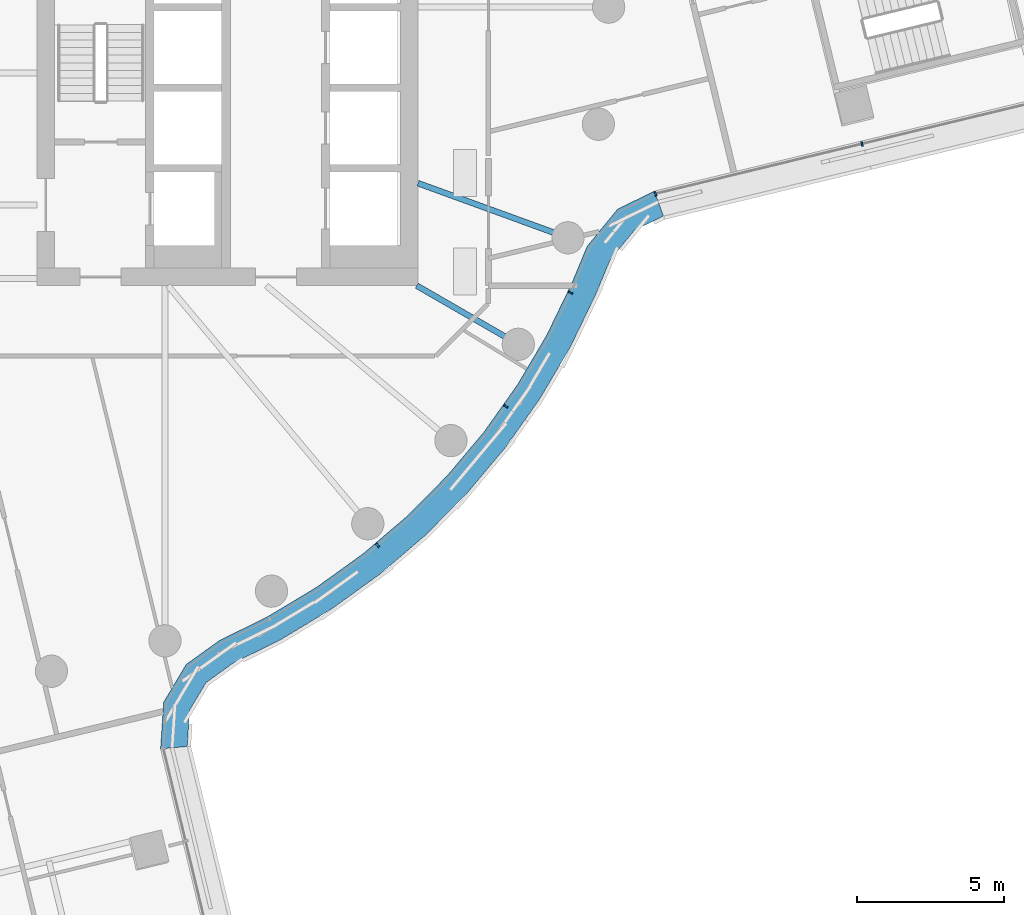
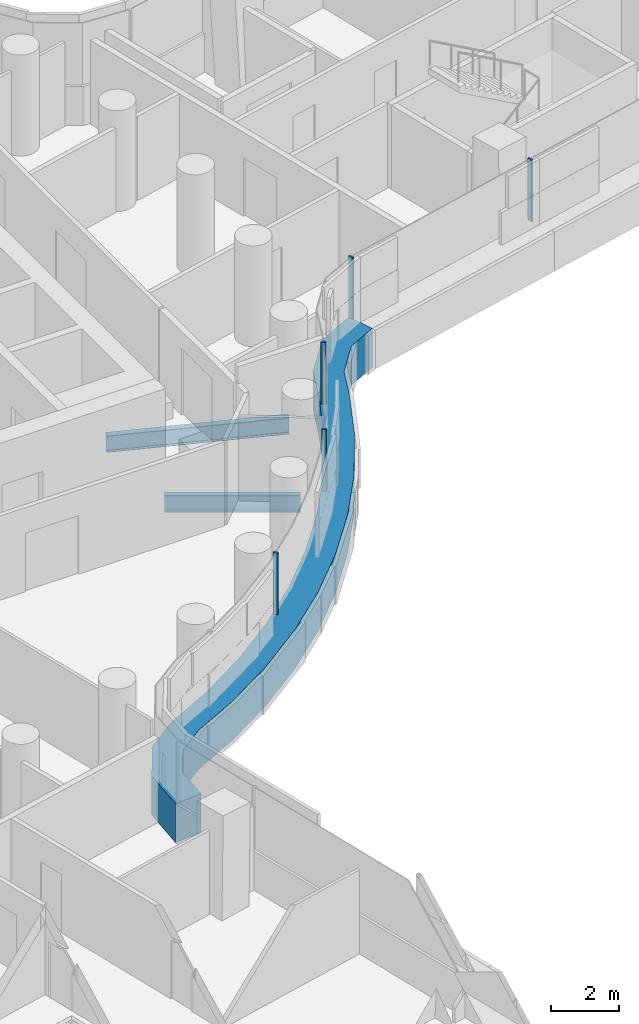
# One storey, part 9 of 33: 6 members, 2 beams, 2 elements without a shape of their own.
"""IFC4 building model written with IfcOpenShell, lengths in metres."""

import ifcopenshell
import ifcopenshell.guid

model = None  # the IFC model being written
_history = None  # IfcOwnerHistory: only IFC2X3 demands one
_inside = {}  # id of a spatial element -> (the spatial element, [elements in it])
_under = {}  # id of a project, library or spatial element -> (it, [spatial elements below it])
_declared = {}  # id of a project -> (the project, [libraries it declares])
_typed = {}  # id of a type object -> (the type object, [elements of that type])
_made_of = {}  # id of a material, layer set ... -> (it, [elements and type objects made of it])


def new_model(schema):
    """Start an empty IFC model of exactly this schema.

    Asked for "IFC4X3", IfcOpenShell would pick the latest addendum, in which some entities
    have other attributes; the version numbers below select the first issue.
    IFC2X3 requires an IfcOwnerHistory on every rooted entity: one is made here for all.
    """
    global model, _history
    if schema == "IFC4X3":
        model = ifcopenshell.file(schema_version=(4, 3, 0, 0))
    else:
        model = ifcopenshell.file(schema=schema)
    _inside.clear()
    _under.clear()
    _declared.clear()
    _typed.clear()
    _made_of.clear()
    _history = None
    if model.schema == "IFC2X3":
        org = make("IfcOrganization", Name="unknown")
        user = make(
            "IfcPersonAndOrganization",
            ThePerson=make("IfcPerson", FamilyName="unknown"),
            TheOrganization=org,
        )
        app = make(
            "IfcApplication",
            ApplicationDeveloper=org,
            Version="unknown",
            ApplicationFullName="unknown",
            ApplicationIdentifier="unknown",
        )
        _history = make(
            "IfcOwnerHistory",
            OwningUser=user,
            OwningApplication=app,
            ChangeAction="ADDED",
            CreationDate=0,
        )
    return model


def make(cls, **values):
    """One entity of the class cls with the attributes given. An attribute that is None is left unset."""
    return model.create_entity(
        cls, **{name: value for name, value in values.items() if value is not None}
    )


def rooted(cls, **values):
    """An entity with a GlobalId (a new one), such as an element, a storey or a relation."""
    return make(cls, GlobalId=ifcopenshell.guid.new(), OwnerHistory=_history, **values)


def si_unit(unit_type, name, prefix=None):
    """IfcSIUnit, for example si_unit("LENGTHUNIT", "METRE", prefix="MILLI")."""
    return make("IfcSIUnit", UnitType=unit_type, Prefix=prefix, Name=name)


def assignment(units):
    """IfcUnitAssignment: the units of a project."""
    return None if units is None else make("IfcUnitAssignment", Units=units)


def point(xyz):
    """IfcCartesianPoint."""
    return None if xyz is None else make("IfcCartesianPoint", Coordinates=xyz)


def direction(xyz):
    """IfcDirection."""
    return None if xyz is None else make("IfcDirection", DirectionRatios=xyz)


def frame(location, z_axis=None, x_axis=None):
    """IfcAxis2Placement3D, a coordinate frame: its origin and axes. An axis left out is left unset."""
    return make(
        "IfcAxis2Placement3D",
        Location=point(location),
        Axis=direction(z_axis),
        RefDirection=direction(x_axis),
    )


def frame_2d(location, x_axis=None):
    """IfcAxis2Placement2D, a coordinate frame in the plane: its origin and x axis."""
    return make(
        "IfcAxis2Placement2D", Location=point(location), RefDirection=direction(x_axis)
    )


def origin():
    """The frame at (0, 0, 0) with its axes left unset."""
    return frame((0.0, 0.0, 0.0))


def origin_2d():
    """The frame at (0, 0) in the plane with its x axis left unset."""
    return frame_2d((0.0, 0.0))


def place(relative_to, where):
    """IfcLocalPlacement: puts the frame where relative to a parent placement (None: the world)."""
    return make(
        "IfcLocalPlacement", PlacementRelTo=relative_to, RelativePlacement=where
    )


def context(
    kind, dimensions, precision=None, world=None, true_north=None, identifier=None
):
    """IfcGeometricRepresentationContext, for example the 3D "Model" context."""
    return make(
        "IfcGeometricRepresentationContext",
        ContextIdentifier=identifier,
        ContextType=kind,
        CoordinateSpaceDimension=dimensions,
        Precision=precision,
        WorldCoordinateSystem=world,
        TrueNorth=true_north,
    )


def subcontext(parent, identifier, kind, view, scale=None):
    """IfcGeometricRepresentationSubContext, for example "Body" below "Model"."""
    return make(
        "IfcGeometricRepresentationSubContext",
        ContextIdentifier=identifier,
        ContextType=kind,
        ParentContext=parent,
        TargetScale=scale,
        TargetView=view,
    )


def project(units=None, contexts=None):
    """IfcProject with its units and contexts."""
    return rooted(
        "IfcProject",
        Name="project",
        RepresentationContexts=contexts,
        UnitsInContext=assignment(units),
    )


def spatial(cls, under=None, at=None, **own):
    """A site, building, storey or space (cls), placed at a placement, below another one or the project."""
    s = rooted(cls, ObjectPlacement=at, **own)
    if under is not None:
        _under.setdefault(under.id(), (under, []))[1].append(s)
    return s


def polyline(points):
    """IfcPolyline through the points."""
    return make("IfcPolyline", Points=[point(p) for p in points])


def profile(cls, at=None, kind="AREA", **sizes):
    """A parametric profile (cls). Its sizes go by their IFC names, for example OverallWidth=200.0."""
    return make(cls, ProfileType=kind, Position=at, **sizes)


def rectangle(**sizes):
    """IfcRectangleProfileDef."""
    return profile("IfcRectangleProfileDef", **sizes)


def i_section(**sizes):
    """IfcIShapeProfileDef."""
    return profile("IfcIShapeProfileDef", **sizes)


def outline(outer, holes=None, kind="AREA"):
    """IfcArbitraryClosedProfileDef: a profile drawn as a closed curve; with holes, ...WithVoids."""
    if holes is None:
        return make("IfcArbitraryClosedProfileDef", ProfileType=kind, OuterCurve=outer)
    return make(
        "IfcArbitraryProfileDefWithVoids",
        ProfileType=kind,
        OuterCurve=outer,
        InnerCurves=holes,
    )


def extrude(swept, where, along, depth):
    """IfcExtrudedAreaSolid: the profile swept, set in the frame where, extruded along a direction by depth."""
    return make(
        "IfcExtrudedAreaSolid",
        SweptArea=swept,
        Position=where,
        ExtrudedDirection=direction(along),
        Depth=depth,
    )


def shape(context_of_items, identifier, shape_type, items):
    """IfcShapeRepresentation: the items that make up one representation, for example the "Body"."""
    return make(
        "IfcShapeRepresentation",
        ContextOfItems=context_of_items,
        RepresentationIdentifier=identifier,
        RepresentationType=shape_type,
        Items=items,
    )


def material(Name=None, Category=None):
    """IfcMaterial."""
    return make("IfcMaterial", Name=Name, Category=Category)


def layer(
    of_material, thickness, ventilated=None, Name=None, Category=None, Priority=None
):
    """IfcMaterialLayer: one layer of a wall or slab, of a material (None: an air gap)."""
    return make(
        "IfcMaterialLayer",
        Material=of_material,
        LayerThickness=thickness,
        IsVentilated=ventilated,
        Name=Name,
        Category=Category,
        Priority=Priority,
    )


def layer_set(layers, Name=None):
    """IfcMaterialLayerSet."""
    return make("IfcMaterialLayerSet", MaterialLayers=layers, LayerSetName=Name)


def material_profile(
    of_material, cross_section, Name=None, Category=None, Priority=None
):
    """IfcMaterialProfile: a cross section and its material."""
    return make(
        "IfcMaterialProfile",
        Name=Name,
        Material=of_material,
        Profile=cross_section,
        Priority=Priority,
        Category=Category,
    )


def profile_set(profiles, Name=None, composite=None):
    """IfcMaterialProfileSet."""
    return make(
        "IfcMaterialProfileSet",
        Name=Name,
        MaterialProfiles=profiles,
        CompositeProfile=composite,
    )


def made_of(thing, what):
    """Note that an element or type object is made of a material, layer set ...; save() writes the relation."""
    if what is not None:
        _made_of.setdefault(what.id(), (what, []))[1].append(thing)
    return thing


def type_object(cls, material=None, **own):
    """A type object (cls), such as IfcWallType, which elements share."""
    return made_of(rooted(cls, **own), material)


def element(
    cls,
    number,
    at=None,
    inside=None,
    cuts=None,
    type_object=None,
    material=None,
    context=None,
    identifier="Body",
    shape_type=None,
    held_by="IfcProductDefinitionShape",
    body=None,
    shapes=None,
    **own,
):
    """One element of the class cls, such as IfcWall. Its Tag is "e" and its number.

    at: its placement. inside: the storey or other place that contains it. cuts: it is an
    opening in that element (IfcRelVoidsElement). A single representation is given by context,
    identifier, shape_type and body (its items); several are given by shapes. held_by: the class
    of the entity that holds the representations. save() writes the other relations.
    """
    e = rooted(cls, Tag="e%d" % number, ObjectPlacement=at, **own)
    if body is not None:
        shapes = [shape(context, identifier, shape_type, body)]
    if shapes is not None:
        e.Representation = make(held_by, Representations=shapes)
    if inside is not None:
        _inside.setdefault(inside.id(), (inside, []))[1].append(e)
    if cuts is not None:
        rooted(
            "IfcRelVoidsElement", RelatingBuildingElement=cuts, RelatedOpeningElement=e
        )
    if type_object is not None:
        _typed.setdefault(type_object.id(), (type_object, []))[1].append(e)
    return made_of(e, material)


def aggregate(whole, parts):
    """IfcRelAggregates: a whole, such as a stair, and the parts it consists of."""
    return rooted("IfcRelAggregates", RelatingObject=whole, RelatedObjects=parts)


def save(model, path):
    """Write the relations noted so far, then the file.

    IfcRelAggregates (storeys below a building ...), IfcRelContainedInSpatialStructure (elements
    in a storey), IfcRelDefinesByType, IfcRelAssociatesMaterial and IfcRelDeclares: one each for
    every whole, place, type object, material and project.
    """
    for whole, parts in _under.values():
        aggregate(whole, parts)
    for where, things in _inside.values():
        rooted(
            "IfcRelContainedInSpatialStructure",
            RelatedElements=things,
            RelatingStructure=where,
        )
    for kind, things in _typed.values():
        rooted("IfcRelDefinesByType", RelatedObjects=things, RelatingType=kind)
    for what, things in _made_of.values():
        rooted("IfcRelAssociatesMaterial", RelatedObjects=things, RelatingMaterial=what)
    for by, libraries in _declared.values():
        rooted("IfcRelDeclares", RelatingContext=by, RelatedDefinitions=libraries)
    model.write(path)


model = new_model("IFC4")

# Units and contexts
model_context = context("Model", 3, precision=1e-05, world=origin(), true_north=direction((0.0, 1.0)))
body_context = subcontext(model_context, "Body", "Model", "MODEL_VIEW")
ifc_project = project(units=[si_unit("LENGTHUNIT", "METRE"), si_unit("AREAUNIT", "SQUARE_METRE"), si_unit("VOLUMEUNIT", "CUBIC_METRE"), si_unit("PLANEANGLEUNIT", "RADIAN"), si_unit("MASSUNIT", "GRAM", prefix="KILO")], contexts=[model_context])

# Site, building, storey
site_placement = place(None, origin())
site = spatial("IfcSite", under=ifc_project, at=site_placement, CompositionType="ELEMENT")
building_placement = place(site_placement, origin())
building = spatial("IfcBuilding", under=site, at=building_placement, Name="Tamarind Cross Interchange Tower", CompositionType="ELEMENT")
storey_placement = place(building_placement, frame((0.0, 0.0, 83.5)))
storey = spatial("IfcBuildingStorey", under=building, at=storey_placement, Name="L19", CompositionType="ELEMENT", Elevation=83.5)

# Beams
ifc_material_1 = material(Name="Steel Q355B", Category="steel")
ifc_material_profile_1 = material_profile(ifc_material_1, i_section(OverallWidth=0.198974609375, OverallDepth=0.595947265625, WebThickness=0.010009765625, FlangeThickness=0.014892578125, FilletRadius=0.012939453125, at=origin_2d()), Name="HN 596x199x10x15")
ifc_profile_set_1 = profile_set([ifc_material_profile_1], Name="Steel Q355B")
beam_type = type_object("IfcBeamType", Name="Composite beam HN 596x199x10x15 Q355B", PredefinedType="BEAM", material=ifc_profile_set_1)
beam_1_placement = place(storey_placement, frame((19.918701171875, -11.5, -0.43798828125), z_axis=(-0.866026010844, 0.49999894854, 0.0), x_axis=(-0.49999894854, -0.866026010844, 0.0)))
element("IfcBeam", 1, at=beam_1_placement, inside=storey, type_object=beam_type, Name="Beam HH33", PredefinedType="BEAM", context=body_context, shape_type="SweptSolid", body=[
    extrude(i_section(OverallWidth=0.198974609375, OverallDepth=0.595947265625, WebThickness=0.010009765625, FlangeThickness=0.014892578125, FilletRadius=0.012939453125, at=origin_2d()), origin(), (0.0, 0.0, 1.0), 4.0),
])
beam_2_placement = place(storey_placement, frame((21.613037109375, -7.866455078125, -0.43798828125), z_axis=(-0.939701685589, 0.341995236956, 0.0), x_axis=(-0.341995236956, -0.939701685589, 0.0)))
element("IfcBeam", 2, at=beam_2_placement, inside=storey, type_object=beam_type, Name="Beam HH34", PredefinedType="BEAM", context=body_context, shape_type="SweptSolid", body=[
    extrude(i_section(OverallWidth=0.198974609375, OverallDepth=0.595947265625, WebThickness=0.010009765625, FlangeThickness=0.014892578125, FilletRadius=0.012939453125, at=origin_2d()), origin(), (0.0, 0.0, 1.0), 5.441162109375),
])

# Curtain wall, member
ifc_material_2 = material(Name="Aluminium 6063-T6", Category="aluminium")
ifc_layer_1 = layer(ifc_material_2, 0.14990234375)
ifc_layer_set_1 = layer_set([ifc_layer_1], Name="Aluminium 6063-T6")
curtain_wall_type_1 = type_object("IfcCurtainWallType", Name="Winter garden and crown curtain wall", PredefinedType="NOTDEFINED", material=ifc_layer_set_1)
curtain_wall_1_placement = place(storey_placement, origin())
curtain_wall_1 = element("IfcCurtainWall", 3, at=curtain_wall_1_placement, inside=storey, type_object=curtain_wall_type_1, Name="CWS-L19-10", PredefinedType="NOTDEFINED")
ifc_material_3 = material(Name="Aluminium and insulated spandrel panel", Category="aluminium")
member_type_1 = type_object("IfcMemberType", Name="Floor-edge blade transom", PredefinedType="USERDEFINED", material=ifc_material_3)
member_1_placement = place(storey_placement, origin())
member_1 = element("IfcMember", 4, at=member_1_placement, type_object=member_type_1, Name="CWT-L19-10", ObjectType="TRANSOM", PredefinedType="USERDEFINED", context=body_context, shape_type="SweptSolid", body=[
    extrude(outline(polyline([(7.717041015625, -25.29736328125), (7.82275390625, -23.705322265625), (8.587890625, -22.420166015625), (9.72216796875, -21.60498046875), (11.367431640625, -20.791015625), (13.045654296875, -19.78125), (14.634521484375, -18.636474609375), (16.12353515625, -17.3642578125), (17.50244140625, -15.973388671875), (18.76171875, -14.4736328125), (19.892822265625, -12.874755859375), (20.88818359375, -11.188232421875), (21.742431640625, -9.42138671875), (22.267333984375, -8.156982421875), (23.303466796875, -6.890625), (24.56298828125, -6.2734375), (24.870361328125, -7.125244140625), (23.875732421875, -7.612548828125), (23.0478515625, -8.624267578125), (22.563720703125, -9.790283203125), (21.68212890625, -11.613525390625), (20.64892578125, -13.3642578125), (19.474853515625, -15.023681640625), (18.167724609375, -16.580810546875), (16.736572265625, -18.0244140625), (15.19091796875, -19.344970703125), (13.54150390625, -20.533203125), (11.7998046875, -21.581298828125), (10.1875, -22.37890625), (9.265380859375, -23.041748046875), (8.706298828125, -23.980224609375), (8.6240234375, -25.22021484375), (7.717041015625, -25.29736328125)])), origin(), (0.0, 0.0, 1.0), 1.39990234375),
])

# Curtain wall, members
ifc_layer_2 = layer(ifc_material_2, 0.159912109375)
ifc_layer_set_2 = layer_set([ifc_layer_2], Name="Aluminium 6063-T6")
curtain_wall_type_2 = type_object("IfcCurtainWallType", Name="Office curtain wall, 9.0 m bays", PredefinedType="NOTDEFINED", material=ifc_layer_set_2)
curtain_wall_2_placement = place(storey_placement, origin())
curtain_wall_2 = element("IfcCurtainWall", 5, at=curtain_wall_2_placement, inside=storey, type_object=curtain_wall_type_2, Name="CWS-L19-11", PredefinedType="NOTDEFINED")
ifc_material_profile_2 = material_profile(ifc_material_2, rectangle(XDim=0.06005859375, YDim=0.159912109375, at=origin_2d()), Name="Mullion CW1")
ifc_profile_set_2 = profile_set([ifc_material_profile_2], Name="Aluminium 6063-T6")
member_type_2 = type_object("IfcMemberType", Name="Mullion CW1", PredefinedType="MULLION", material=ifc_profile_set_2)
member_2_placement = place(storey_placement, frame((24.59716796875, -6.3681640625, 1.39990234375), z_axis=(0.0, 0.0, 1.0), x_axis=(0.940640468092, 0.339404640198, 0.0)))
member_2 = element("IfcMember", 6, at=member_2_placement, type_object=member_type_2, Name="CWM-L19-11-00", PredefinedType="MULLION", context=body_context, shape_type="SweptSolid", body=[
    extrude(rectangle(XDim=0.06005859375, YDim=0.159912109375, at=origin_2d()), origin(), (0.0, 0.0, 1.0), 2.210205078125),
])
member_3_placement = place(storey_placement, frame((31.642333984375, -4.666015625, 1.39990234375), z_axis=(0.0, 0.0, 1.0), x_axis=(0.972033185193, 0.234843537027, 0.0)))
member_3 = element("IfcMember", 7, at=member_3_placement, type_object=member_type_2, Name="CWM-L19-11-01", PredefinedType="MULLION", context=body_context, shape_type="SweptSolid", body=[
    extrude(rectangle(XDim=0.06005859375, YDim=0.159912109375, at=origin_2d()), origin(), (0.0, 0.0, 1.0), 2.210205078125),
])
aggregate(curtain_wall_2, [member_2, member_3])

# Member
ifc_material_profile_3 = material_profile(ifc_material_2, rectangle(XDim=0.06005859375, YDim=0.14990234375, at=origin_2d()), Name="Mullion CW6")
ifc_profile_set_3 = profile_set([ifc_material_profile_3], Name="Aluminium 6063-T6")
member_type_3 = type_object("IfcMemberType", Name="Mullion CW6", PredefinedType="MULLION", material=ifc_profile_set_3)
member_4_placement = place(storey_placement, frame((15.119140625, -18.353759765625, 1.39990234375), z_axis=(0.0, 0.0, 1.0), x_axis=(0.760295606781, 0.64957723968, 0.0)))
member_4 = element("IfcMember", 8, at=member_4_placement, type_object=member_type_3, Name="CWM-L19-10-02", PredefinedType="MULLION", context=body_context, shape_type="SweptSolid", body=[
    extrude(rectangle(XDim=0.06005859375, YDim=0.14990234375, at=origin_2d()), origin(), (0.0, 0.0, 1.0), 2.210205078125),
])

member_5_placement = place(storey_placement, frame((19.4921875, -13.614013671875, 1.39990234375), z_axis=(0.0, 0.0, 1.0), x_axis=(0.577568978284, 0.816341886298, 0.0)))
member_5 = element("IfcMember", 9, at=member_5_placement, type_object=member_type_3, Name="CWM-L19-10-03", PredefinedType="MULLION", context=body_context, shape_type="SweptSolid", body=[
    extrude(rectangle(XDim=0.06005859375, YDim=0.14990234375, at=origin_2d()), origin(), (0.0, 0.0, 1.0), 2.210205078125),
])

member_6_placement = place(storey_placement, frame((21.700439453125, -9.737548828125, 1.39990234375), z_axis=(0.0, 0.0, 1.0), x_axis=(0.435326231914, 0.900272776334, 0.0)))
member_6 = element("IfcMember", 10, at=member_6_placement, type_object=member_type_3, Name="CWM-L19-10-04", PredefinedType="MULLION", context=body_context, shape_type="SweptSolid", body=[
    extrude(rectangle(XDim=0.06005859375, YDim=0.14990234375, at=origin_2d()), origin(), (0.0, 0.0, 1.0), 2.210205078125),
])

aggregate(curtain_wall_1, [member_4, member_5, member_6, member_1])

save(model, "model.ifc")
